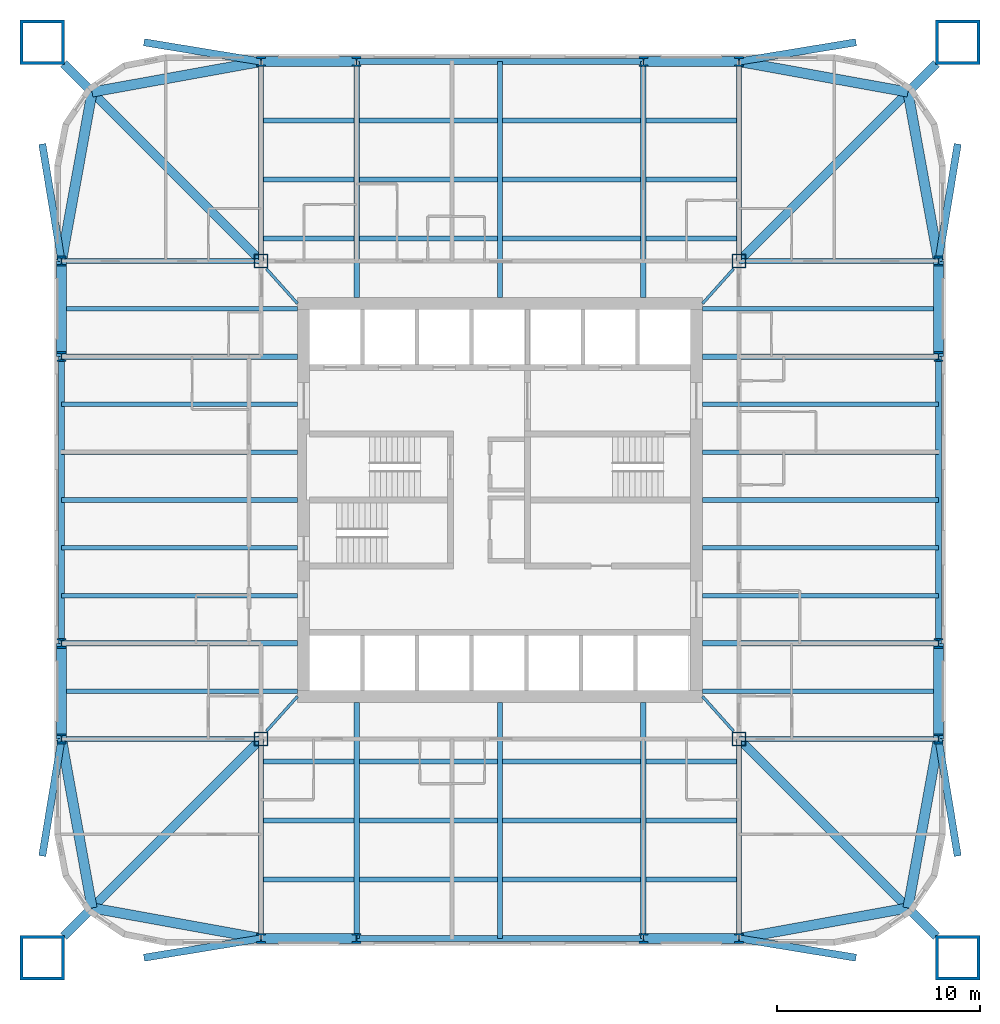
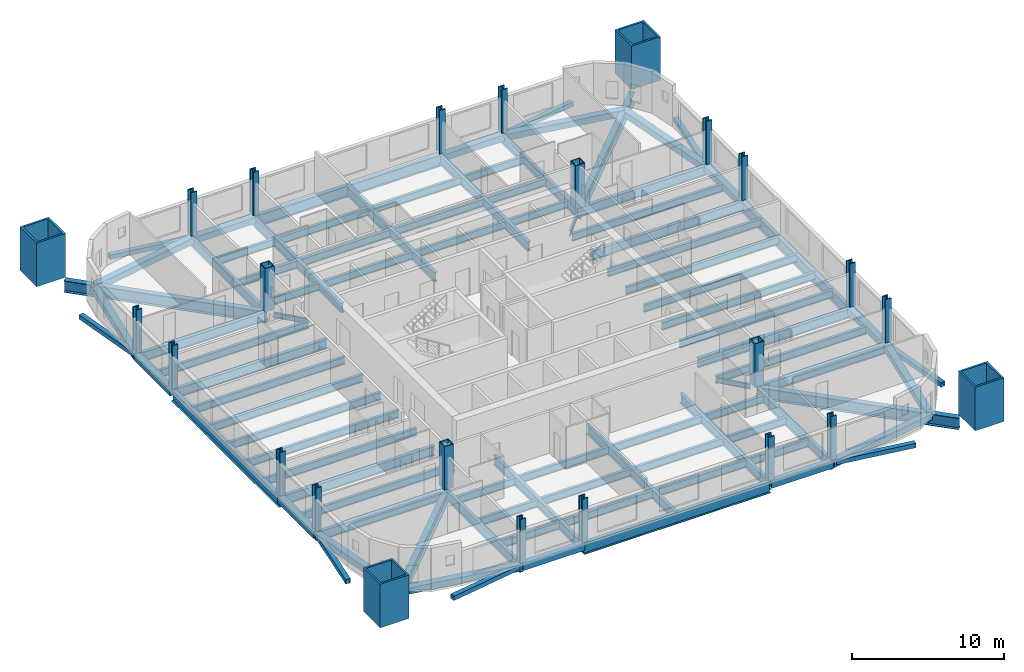
# One storey, part 1 of 9: 92 beams, 24 columns.
"""IFC4 building model written with IfcOpenShell, lengths in metres."""

from ifc_helpers import new_model, si_unit, direction, frame, origin, origin_2d, place, context, subcontext, project, spatial, hollow_rectangle, i_section, extrude, material, material_profile, profile_set, type_object, element, save


model = new_model("IFC4")

# Units and contexts
model_context = context("Model", 3, precision=1e-05, world=origin(), true_north=direction((0.0, 1.0)))
body_context = subcontext(model_context, "Body", "Model", "MODEL_VIEW")
ifc_project = project(units=[si_unit("LENGTHUNIT", "METRE"), si_unit("AREAUNIT", "SQUARE_METRE"), si_unit("VOLUMEUNIT", "CUBIC_METRE"), si_unit("PLANEANGLEUNIT", "RADIAN"), si_unit("MASSUNIT", "GRAM", prefix="KILO")], contexts=[model_context])

# Site, building, storey
site_placement = place(None, origin())
site = spatial("IfcSite", under=ifc_project, at=site_placement, CompositionType="ELEMENT")
building_placement = place(site_placement, origin())
building = spatial("IfcBuilding", under=site, at=building_placement, Name="Turquesa Mirador Hotel Tower", CompositionType="ELEMENT")
storey_placement = place(building_placement, frame((0.0, 0.0, 81.0)))
storey = spatial("IfcBuildingStorey", under=building, at=storey_placement, Name="L21", CompositionType="ELEMENT", Elevation=81.0)

# Columns
ifc_material_1 = material(Name="Steel ASTM A572 Grade 50", Category="steel")
ifc_material_profile_1 = material_profile(ifc_material_1, hollow_rectangle(XDim=0.699951171875, YDim=0.699951171875, WallThickness=0.06005859375, at=origin_2d()), Name="BOX700X700X60")
ifc_profile_set_1 = profile_set([ifc_material_profile_1], Name="Steel ASTM A572 Grade 50")
column_type_1 = type_object("IfcColumnType", Name="COLUMN BOX700X700X60", PredefinedType="COLUMN", material=ifc_profile_set_1)
for number, where, z_axis, x_axis, name in (
    (1, (43.199951171875, 33.199951171875, 0.0), (0.0, 0.0, 1.0), (1.0, 0.0, 0.0), "COL-L21-K--11.80--11.80"),
    (2, (43.199951171875, 56.800048828125, 0.0), (0.0, 0.0, 1.0), (1.0, 0.0, 0.0), "COL-L21-K--11.80-+11.80"),
    (3, (66.800048828125, 33.199951171875, 0.0), (0.0, 0.0, 1.0), (1.0, 0.0, 0.0), "COL-L21-K-+11.80--11.80"),
    (4, (66.800048828125, 56.800048828125, 0.0), (0.0, 0.0, 1.0), (1.0, 0.0, 0.0), "COL-L21-K-+11.80-+11.80"),
):
    element("IfcColumn", number, at=place(storey_placement, frame(where, z_axis=z_axis, x_axis=x_axis)), inside=storey, type_object=column_type_1, Name=name, PredefinedType="COLUMN", context=body_context, shape_type="SweptSolid", body=[
        extrude(hollow_rectangle(XDim=0.699951171875, YDim=0.699951171875, WallThickness=0.06005859375, at=origin_2d()), origin(), (0.0, 0.0, 1.0), 3.5),
    ])
ifc_material_2 = material(Name="Steel ASTM A992 Grade 50", Category="steel")
ifc_material_profile_2 = material_profile(ifc_material_2, i_section(OverallWidth=0.431884765625, OverallDepth=0.497802734375, WebThickness=0.0556640625, FlangeThickness=0.0888671875, at=origin_2d()), Name="W14X500")
ifc_profile_set_2 = profile_set([ifc_material_profile_2], Name="Steel ASTM A992 Grade 50")
column_type_2 = type_object("IfcColumnType", Name="COLUMN W14X500", PredefinedType="COLUMN", material=ifc_profile_set_2)
for number, where, z_axis, x_axis, name in (
    (5, (33.35009765625, 33.199951171875, 0.0), (0.0, 0.0, 1.0), (1.0, 0.0, 0.0), "COL-L21-P--21.65--11.80"),
    (6, (33.35009765625, 37.919921875, 0.0), (0.0, 0.0, 1.0), (1.0, 0.0, 0.0), "COL-L21-P--21.65--7.08"),
    (7, (33.35009765625, 52.080078125, 0.0), (0.0, 0.0, 1.0), (1.0, 0.0, 0.0), "COL-L21-P--21.65-+7.08"),
    (8, (33.35009765625, 56.800048828125, 0.0), (0.0, 0.0, 1.0), (1.0, 0.0, 0.0), "COL-L21-P--21.65-+11.80"),
    (9, (43.199951171875, 23.35009765625, 0.0), (0.0, 0.0, 1.0), (1.0, 0.0, 0.0), "COL-L21-P--11.80--21.65"),
    (10, (43.199951171875, 66.64990234375, 0.0), (0.0, 0.0, 1.0), (1.0, 0.0, 0.0), "COL-L21-P--11.80-+21.65"),
    (11, (47.919921875, 23.35009765625, 0.0), (0.0, 0.0, 1.0), (1.0, 0.0, 0.0), "COL-L21-P--7.08--21.65"),
    (12, (47.919921875, 66.64990234375, 0.0), (0.0, 0.0, 1.0), (1.0, 0.0, 0.0), "COL-L21-P--7.08-+21.65"),
    (13, (62.080078125, 23.35009765625, 0.0), (0.0, 0.0, 1.0), (1.0, 0.0, 0.0), "COL-L21-P-+7.08--21.65"),
    (14, (62.080078125, 66.64990234375, 0.0), (0.0, 0.0, 1.0), (1.0, 0.0, 0.0), "COL-L21-P-+7.08-+21.65"),
    (15, (66.800048828125, 23.35009765625, 0.0), (0.0, 0.0, 1.0), (1.0, 0.0, 0.0), "COL-L21-P-+11.80--21.65"),
    (16, (66.800048828125, 66.64990234375, 0.0), (0.0, 0.0, 1.0), (1.0, 0.0, 0.0), "COL-L21-P-+11.80-+21.65"),
    (17, (76.64990234375, 33.199951171875, 0.0), (0.0, 0.0, 1.0), (1.0, 0.0, 0.0), "COL-L21-P-+21.65--11.80"),
    (18, (76.64990234375, 37.919921875, 0.0), (0.0, 0.0, 1.0), (1.0, 0.0, 0.0), "COL-L21-P-+21.65--7.08"),
    (19, (76.64990234375, 52.080078125, 0.0), (0.0, 0.0, 1.0), (1.0, 0.0, 0.0), "COL-L21-P-+21.65-+7.08"),
    (20, (76.64990234375, 56.800048828125, 0.0), (0.0, 0.0, 1.0), (1.0, 0.0, 0.0), "COL-L21-P-+21.65-+11.80"),
):
    element("IfcColumn", number, at=place(storey_placement, frame(where, z_axis=z_axis, x_axis=x_axis)), inside=storey, type_object=column_type_2, Name=name, PredefinedType="COLUMN", context=body_context, shape_type="SweptSolid", body=[
        extrude(i_section(OverallWidth=0.431884765625, OverallDepth=0.497802734375, WebThickness=0.0556640625, FlangeThickness=0.0888671875, at=origin_2d()), origin(), (0.0, 0.0, 1.0), 3.5),
    ])
ifc_material_3 = material(Name="Steel ASTM A514 Grade Q", Category="steel")
ifc_material_profile_3 = material_profile(ifc_material_3, hollow_rectangle(XDim=2.199951171875, YDim=2.199951171875, WallThickness=0.14990234375, at=origin_2d()), Name="BOX2200X2200X150")
ifc_profile_set_3 = profile_set([ifc_material_profile_3], Name="Steel ASTM A514 Grade Q")
column_type_3 = type_object("IfcColumnType", Name="MEGA COLUMN BOX2200X2200X150", PredefinedType="COLUMN", material=ifc_profile_set_3)
for number, where, z_axis, x_axis, name in (
    (21, (77.60009765625, 67.60009765625, 0.0), (0.0, 0.0, 1.0), (1.0, 0.0, 0.0), "Mega column M1"),
    (22, (32.39990234375, 67.60009765625, 0.0), (0.0, 0.0, 1.0), (1.0, 0.0, 0.0), "Mega column M2"),
    (23, (32.39990234375, 22.39990234375, 0.0), (0.0, 0.0, 1.0), (1.0, 0.0, 0.0), "Mega column M3"),
    (24, (77.60009765625, 22.39990234375, 0.0), (0.0, 0.0, 1.0), (1.0, 0.0, 0.0), "Mega column M4"),
):
    element("IfcColumn", number, at=place(storey_placement, frame(where, z_axis=z_axis, x_axis=x_axis)), inside=storey, type_object=column_type_3, Name=name, PredefinedType="COLUMN", context=body_context, shape_type="SweptSolid", body=[
        extrude(hollow_rectangle(XDim=2.199951171875, YDim=2.199951171875, WallThickness=0.14990234375, at=origin_2d()), origin(), (0.0, 0.0, 1.0), 3.5),
    ])

# Beams
ifc_material_4 = material(Name="Steel ASTM A572 Grade 50", Category="steel")
ifc_material_profile_4 = material_profile(ifc_material_4, hollow_rectangle(XDim=0.5, YDim=0.5, WallThickness=0.01611328125, at=origin_2d()), Name="BOX500X500X16")
ifc_profile_set_4 = profile_set([ifc_material_profile_4], Name="Steel ASTM A572 Grade 50")
beam_type_1 = type_object("IfcBeamType", Name="BEAM BOX500X500X16", PredefinedType="BEAM", material=ifc_profile_set_4)
for number, where, z_axis, x_axis, name in (
    (25, (43.199951171875, 66.64990234375, -0.419921875), (1.0, 0.0, 0.0), (0.0, 1.0, 0.0), "EB-L21-N-L"),
    (26, (62.080078125, 66.64990234375, -0.419921875), (1.0, 0.0, 0.0), (0.0, 1.0, 0.0), "EB-L21-N-R"),
    (27, (43.199951171875, 23.35009765625, -0.419921875), (1.0, 0.0, 0.0), (0.0, 1.0, 0.0), "EB-L21-S-L"),
    (28, (62.080078125, 23.35009765625, -0.419921875), (1.0, 0.0, 0.0), (0.0, 1.0, 0.0), "EB-L21-S-R"),
    (29, (76.64990234375, 33.199951171875, -0.419921875), (0.0, 1.0, 0.0), (-1.0, 0.0, 0.0), "EB-L21-E-L"),
    (30, (76.64990234375, 52.080078125, -0.419921875), (0.0, 1.0, 0.0), (-1.0, 0.0, 0.0), "EB-L21-E-R"),
    (31, (33.35009765625, 33.199951171875, -0.419921875), (0.0, 1.0, 0.0), (-1.0, 0.0, 0.0), "EB-L21-W-L"),
    (32, (33.35009765625, 52.080078125, -0.419921875), (0.0, 1.0, 0.0), (-1.0, 0.0, 0.0), "EB-L21-W-R"),
):
    element("IfcBeam", number, at=place(storey_placement, frame(where, z_axis=z_axis, x_axis=x_axis)), inside=storey, type_object=beam_type_1, Name=name, PredefinedType="BEAM", context=body_context, shape_type="SweptSolid", body=[
        extrude(hollow_rectangle(XDim=0.5, YDim=0.5, WallThickness=0.01611328125, at=origin_2d()), origin(), (0.0, 0.0, 1.0), 4.719970703125),
    ])
for number, where, z_axis, x_axis, name in (
    (33, (76.64990234375, 56.800048828125, -0.419921875), (-0.177932387818, 0.984042715214, 0.0), (-0.984042715214, -0.177932387818, 0.0), "KE-L21-1-0"),
    (34, (75.1416015625, 65.1416015625, -0.419921875), (-0.984042715214, 0.177932387818, 0.0), (-0.177932387818, -0.984042715214, 0.0), "KE-L21-1-1"),
    (35, (33.35009765625, 56.800048828125, -0.419921875), (0.177932387818, 0.984042715214, 0.0), (-0.984042715214, 0.177932387818, 0.0), "KE-L21-2-0"),
    (36, (34.8583984375, 65.1416015625, -0.419921875), (0.984042715214, 0.177932387818, 0.0), (-0.177932387818, 0.984042715214, 0.0), "KE-L21-2-1"),
    (37, (33.35009765625, 33.199951171875, -0.419921875), (0.177932387818, -0.984042715214, 0.0), (0.984042715214, 0.177932387818, 0.0), "KE-L21-3-0"),
    (38, (34.8583984375, 24.8583984375, -0.419921875), (0.984042715214, -0.177932387818, 0.0), (0.177932387818, 0.984042715214, 0.0), "KE-L21-3-1"),
    (39, (76.64990234375, 33.199951171875, -0.419921875), (-0.177932387818, -0.984042715214, 0.0), (0.984042715214, -0.177932387818, 0.0), "KE-L21-4-0"),
    (40, (75.1416015625, 24.8583984375, -0.419921875), (-0.984042715214, -0.177932387818, 0.0), (0.177932387818, -0.984042715214, 0.0), "KE-L21-4-1"),
):
    element("IfcBeam", number, at=place(storey_placement, frame(where, z_axis=z_axis, x_axis=x_axis)), inside=storey, type_object=beam_type_1, Name=name, PredefinedType="BEAM", context=body_context, shape_type="SweptSolid", body=[
        extrude(hollow_rectangle(XDim=0.5, YDim=0.5, WallThickness=0.01611328125, at=origin_2d()), origin(), (0.0, 0.0, 1.0), 8.476806640625),
    ])
ifc_material_5 = material(Name="Steel ASTM A992 Grade 50", Category="steel")
ifc_material_profile_5 = material_profile(ifc_material_5, i_section(OverallWidth=0.140380859375, OverallDepth=0.40380859375, WebThickness=0.007080078125, FlangeThickness=0.01123046875, at=origin_2d()), Name="W16X31")
ifc_profile_set_5 = profile_set([ifc_material_profile_5], Name="Steel ASTM A992 Grade 50")
beam_type_2 = type_object("IfcBeamType", Name="BEAM W16X31", PredefinedType="BEAM", material=ifc_profile_set_5)
for number, where, z_axis, x_axis, name in (
    (41, (66.529541015625, 56.40966796875, -0.371826171875), (-0.666745084392, -0.745285846129, 0.0), (0.745285846129, -0.666745084392, 0.0), "KT-L21-1"),
    (42, (43.470458984375, 56.40966796875, -0.371826171875), (0.666745084392, -0.745285846129, 0.0), (0.745285846129, 0.666745084392, 0.0), "KT-L21-2"),
    (43, (43.470458984375, 33.59033203125, -0.371826171875), (0.666745084392, 0.745285846129, 0.0), (-0.745285846129, 0.666745084392, 0.0), "KT-L21-3"),
    (44, (66.529541015625, 33.59033203125, -0.371826171875), (-0.666745084392, 0.745285846129, 0.0), (-0.745285846129, -0.666745084392, 0.0), "KT-L21-4"),
):
    element("IfcBeam", number, at=place(storey_placement, frame(where, z_axis=z_axis, x_axis=x_axis)), inside=storey, type_object=beam_type_2, Name=name, PredefinedType="BEAM", context=body_context, shape_type="SweptSolid", body=[
        extrude(i_section(OverallWidth=0.140380859375, OverallDepth=0.40380859375, WebThickness=0.007080078125, FlangeThickness=0.01123046875, at=origin_2d()), origin(), (0.0, 0.0, 1.0), 2.2939453125),
    ])
ifc_material_6 = material(Name="Steel ASTM A992 Grade 50", Category="steel")
ifc_material_profile_6 = material_profile(ifc_material_6, i_section(OverallWidth=0.228271484375, OverallDepth=0.607177734375, WebThickness=0.01123046875, FlangeThickness=0.017333984375, at=origin_2d()), Name="W24X76")
ifc_profile_set_6 = profile_set([ifc_material_profile_6], Name="Steel ASTM A992 Grade 50")
beam_type_3 = type_object("IfcBeamType", Name="BEAM W24X76", PredefinedType="BEAM", material=ifc_profile_set_6)
beam_1_placement = place(storey_placement, frame((43.333251953125, 57.912109375, -0.4736328125), z_axis=(1.0, 0.0, 0.0), x_axis=(0.0, 1.0, 0.0)))
element("IfcBeam", 45, at=beam_1_placement, inside=storey, type_object=beam_type_3, Name="IB-L21-N-1-0", PredefinedType="BEAM", context=body_context, shape_type="SweptSolid", body=[
    extrude(i_section(OverallWidth=0.228271484375, OverallDepth=0.607177734375, WebThickness=0.01123046875, FlangeThickness=0.017333984375, at=origin_2d()), origin(), (0.0, 0.0, 1.0), 4.453369140625),
])
for number, where, z_axis, x_axis, name in (
    (46, (48.053466796875, 57.912109375, -0.4736328125), (1.0, 0.0, 0.0), (0.0, 1.0, 0.0), "IB-L21-N-1-1"),
    (47, (55.13330078125, 57.912109375, -0.4736328125), (1.0, 0.0, 0.0), (0.0, 1.0, 0.0), "IB-L21-N-1-2"),
):
    element("IfcBeam", number, at=place(storey_placement, frame(where, z_axis=z_axis, x_axis=x_axis)), inside=storey, type_object=beam_type_3, Name=name, PredefinedType="BEAM", context=body_context, shape_type="SweptSolid", body=[
        extrude(i_section(OverallWidth=0.228271484375, OverallDepth=0.607177734375, WebThickness=0.01123046875, FlangeThickness=0.017333984375, at=origin_2d()), origin(), (0.0, 0.0, 1.0), 6.813232421875),
    ])
for number, where, z_axis, x_axis, name in (
    (48, (62.21337890625, 57.912109375, -0.4736328125), (1.0, 0.0, 0.0), (0.0, 1.0, 0.0), "IB-L21-N-1-3"),
    (49, (43.333251953125, 60.824951171875, -0.4736328125), (1.0, 0.0, 0.0), (0.0, 1.0, 0.0), "IB-L21-N-2-0"),
):
    element("IfcBeam", number, at=place(storey_placement, frame(where, z_axis=z_axis, x_axis=x_axis)), inside=storey, type_object=beam_type_3, Name=name, PredefinedType="BEAM", context=body_context, shape_type="SweptSolid", body=[
        extrude(i_section(OverallWidth=0.228271484375, OverallDepth=0.607177734375, WebThickness=0.01123046875, FlangeThickness=0.017333984375, at=origin_2d()), origin(), (0.0, 0.0, 1.0), 4.453369140625),
    ])
for number, where, z_axis, x_axis, name in (
    (50, (48.053466796875, 60.824951171875, -0.4736328125), (1.0, 0.0, 0.0), (0.0, 1.0, 0.0), "IB-L21-N-2-1"),
    (51, (55.13330078125, 60.824951171875, -0.4736328125), (1.0, 0.0, 0.0), (0.0, 1.0, 0.0), "IB-L21-N-2-2"),
):
    element("IfcBeam", number, at=place(storey_placement, frame(where, z_axis=z_axis, x_axis=x_axis)), inside=storey, type_object=beam_type_3, Name=name, PredefinedType="BEAM", context=body_context, shape_type="SweptSolid", body=[
        extrude(i_section(OverallWidth=0.228271484375, OverallDepth=0.607177734375, WebThickness=0.01123046875, FlangeThickness=0.017333984375, at=origin_2d()), origin(), (0.0, 0.0, 1.0), 6.813232421875),
    ])
for number, where, z_axis, x_axis, name in (
    (52, (62.21337890625, 60.824951171875, -0.4736328125), (1.0, 0.0, 0.0), (0.0, 1.0, 0.0), "IB-L21-N-2-3"),
    (53, (43.333251953125, 63.737060546875, -0.4736328125), (1.0, 0.0, 0.0), (0.0, 1.0, 0.0), "IB-L21-N-3-0"),
):
    element("IfcBeam", number, at=place(storey_placement, frame(where, z_axis=z_axis, x_axis=x_axis)), inside=storey, type_object=beam_type_3, Name=name, PredefinedType="BEAM", context=body_context, shape_type="SweptSolid", body=[
        extrude(i_section(OverallWidth=0.228271484375, OverallDepth=0.607177734375, WebThickness=0.01123046875, FlangeThickness=0.017333984375, at=origin_2d()), origin(), (0.0, 0.0, 1.0), 4.453369140625),
    ])
for number, where, z_axis, x_axis, name in (
    (54, (48.053466796875, 63.737060546875, -0.4736328125), (1.0, 0.0, 0.0), (0.0, 1.0, 0.0), "IB-L21-N-3-1"),
    (55, (55.13330078125, 63.737060546875, -0.4736328125), (1.0, 0.0, 0.0), (0.0, 1.0, 0.0), "IB-L21-N-3-2"),
):
    element("IfcBeam", number, at=place(storey_placement, frame(where, z_axis=z_axis, x_axis=x_axis)), inside=storey, type_object=beam_type_3, Name=name, PredefinedType="BEAM", context=body_context, shape_type="SweptSolid", body=[
        extrude(i_section(OverallWidth=0.228271484375, OverallDepth=0.607177734375, WebThickness=0.01123046875, FlangeThickness=0.017333984375, at=origin_2d()), origin(), (0.0, 0.0, 1.0), 6.813232421875),
    ])
for number, where, z_axis, x_axis, name in (
    (56, (62.21337890625, 63.737060546875, -0.4736328125), (1.0, 0.0, 0.0), (0.0, 1.0, 0.0), "IB-L21-N-3-3"),
    (57, (43.333251953125, 32.087890625, -0.4736328125), (1.0, 0.0, 0.0), (0.0, 1.0, 0.0), "IB-L21-S-1-0"),
):
    element("IfcBeam", number, at=place(storey_placement, frame(where, z_axis=z_axis, x_axis=x_axis)), inside=storey, type_object=beam_type_3, Name=name, PredefinedType="BEAM", context=body_context, shape_type="SweptSolid", body=[
        extrude(i_section(OverallWidth=0.228271484375, OverallDepth=0.607177734375, WebThickness=0.01123046875, FlangeThickness=0.017333984375, at=origin_2d()), origin(), (0.0, 0.0, 1.0), 4.453369140625),
    ])
for number, where, z_axis, x_axis, name in (
    (58, (48.053466796875, 32.087890625, -0.4736328125), (1.0, 0.0, 0.0), (0.0, 1.0, 0.0), "IB-L21-S-1-1"),
    (59, (55.13330078125, 32.087890625, -0.4736328125), (1.0, 0.0, 0.0), (0.0, 1.0, 0.0), "IB-L21-S-1-2"),
):
    element("IfcBeam", number, at=place(storey_placement, frame(where, z_axis=z_axis, x_axis=x_axis)), inside=storey, type_object=beam_type_3, Name=name, PredefinedType="BEAM", context=body_context, shape_type="SweptSolid", body=[
        extrude(i_section(OverallWidth=0.228271484375, OverallDepth=0.607177734375, WebThickness=0.01123046875, FlangeThickness=0.017333984375, at=origin_2d()), origin(), (0.0, 0.0, 1.0), 6.813232421875),
    ])
for number, where, z_axis, x_axis, name in (
    (60, (62.21337890625, 32.087890625, -0.4736328125), (1.0, 0.0, 0.0), (0.0, 1.0, 0.0), "IB-L21-S-1-3"),
    (61, (43.333251953125, 29.175048828125, -0.4736328125), (1.0, 0.0, 0.0), (0.0, 1.0, 0.0), "IB-L21-S-2-0"),
):
    element("IfcBeam", number, at=place(storey_placement, frame(where, z_axis=z_axis, x_axis=x_axis)), inside=storey, type_object=beam_type_3, Name=name, PredefinedType="BEAM", context=body_context, shape_type="SweptSolid", body=[
        extrude(i_section(OverallWidth=0.228271484375, OverallDepth=0.607177734375, WebThickness=0.01123046875, FlangeThickness=0.017333984375, at=origin_2d()), origin(), (0.0, 0.0, 1.0), 4.453369140625),
    ])
for number, where, z_axis, x_axis, name in (
    (62, (48.053466796875, 29.175048828125, -0.4736328125), (1.0, 0.0, 0.0), (0.0, 1.0, 0.0), "IB-L21-S-2-1"),
    (63, (55.13330078125, 29.175048828125, -0.4736328125), (1.0, 0.0, 0.0), (0.0, 1.0, 0.0), "IB-L21-S-2-2"),
):
    element("IfcBeam", number, at=place(storey_placement, frame(where, z_axis=z_axis, x_axis=x_axis)), inside=storey, type_object=beam_type_3, Name=name, PredefinedType="BEAM", context=body_context, shape_type="SweptSolid", body=[
        extrude(i_section(OverallWidth=0.228271484375, OverallDepth=0.607177734375, WebThickness=0.01123046875, FlangeThickness=0.017333984375, at=origin_2d()), origin(), (0.0, 0.0, 1.0), 6.813232421875),
    ])
for number, where, z_axis, x_axis, name in (
    (64, (62.21337890625, 29.175048828125, -0.4736328125), (1.0, 0.0, 0.0), (0.0, 1.0, 0.0), "IB-L21-S-2-3"),
    (65, (43.333251953125, 26.262939453125, -0.4736328125), (1.0, 0.0, 0.0), (0.0, 1.0, 0.0), "IB-L21-S-3-0"),
):
    element("IfcBeam", number, at=place(storey_placement, frame(where, z_axis=z_axis, x_axis=x_axis)), inside=storey, type_object=beam_type_3, Name=name, PredefinedType="BEAM", context=body_context, shape_type="SweptSolid", body=[
        extrude(i_section(OverallWidth=0.228271484375, OverallDepth=0.607177734375, WebThickness=0.01123046875, FlangeThickness=0.017333984375, at=origin_2d()), origin(), (0.0, 0.0, 1.0), 4.453369140625),
    ])
for number, where, z_axis, x_axis, name in (
    (66, (48.053466796875, 26.262939453125, -0.4736328125), (1.0, 0.0, 0.0), (0.0, 1.0, 0.0), "IB-L21-S-3-1"),
    (67, (55.13330078125, 26.262939453125, -0.4736328125), (1.0, 0.0, 0.0), (0.0, 1.0, 0.0), "IB-L21-S-3-2"),
):
    element("IfcBeam", number, at=place(storey_placement, frame(where, z_axis=z_axis, x_axis=x_axis)), inside=storey, type_object=beam_type_3, Name=name, PredefinedType="BEAM", context=body_context, shape_type="SweptSolid", body=[
        extrude(i_section(OverallWidth=0.228271484375, OverallDepth=0.607177734375, WebThickness=0.01123046875, FlangeThickness=0.017333984375, at=origin_2d()), origin(), (0.0, 0.0, 1.0), 6.813232421875),
    ])
beam_2_placement = place(storey_placement, frame((62.21337890625, 26.262939453125, -0.4736328125), z_axis=(1.0, 0.0, 0.0), x_axis=(0.0, 1.0, 0.0)))
element("IfcBeam", 68, at=beam_2_placement, inside=storey, type_object=beam_type_3, Name="IB-L21-S-3-3", PredefinedType="BEAM", context=body_context, shape_type="SweptSolid", body=[
    extrude(i_section(OverallWidth=0.228271484375, OverallDepth=0.607177734375, WebThickness=0.01123046875, FlangeThickness=0.017333984375, at=origin_2d()), origin(), (0.0, 0.0, 1.0), 4.453369140625),
])
for number, where, z_axis, x_axis, name in (
    (69, (76.64990234375, 35.56005859375, -0.4736328125), (-1.0, 0.0, 0.0), (0.0, -1.0, 0.0), "BM-L21-E--9.44"),
    (70, (76.64990234375, 40.280029296875, -0.4736328125), (-1.0, 0.0, 0.0), (0.0, -1.0, 0.0), "BM-L21-E--4.72"),
    (71, (76.64990234375, 42.639892578125, -0.4736328125), (-1.0, 0.0, 0.0), (0.0, -1.0, 0.0), "BM-L21-E--2.36"),
    (72, (76.64990234375, 45.0, -0.4736328125), (-1.0, 0.0, 0.0), (0.0, -1.0, 0.0), "BM-L21-E-+0.00"),
    (73, (76.64990234375, 47.360107421875, -0.4736328125), (-1.0, 0.0, 0.0), (0.0, -1.0, 0.0), "BM-L21-E-+2.36"),
    (74, (76.64990234375, 49.719970703125, -0.4736328125), (-1.0, 0.0, 0.0), (0.0, -1.0, 0.0), "BM-L21-E-+4.72"),
    (75, (76.64990234375, 54.43994140625, -0.4736328125), (-1.0, 0.0, 0.0), (0.0, -1.0, 0.0), "BM-L21-E-+9.44"),
    (76, (33.35009765625, 35.56005859375, -0.4736328125), (1.0, 0.0, 0.0), (0.0, 1.0, 0.0), "BM-L21-W--9.44"),
    (77, (33.35009765625, 40.280029296875, -0.4736328125), (1.0, 0.0, 0.0), (0.0, 1.0, 0.0), "BM-L21-W--4.72"),
    (78, (33.35009765625, 42.639892578125, -0.4736328125), (1.0, 0.0, 0.0), (0.0, 1.0, 0.0), "BM-L21-W--2.36"),
    (79, (33.35009765625, 45.0, -0.4736328125), (1.0, 0.0, 0.0), (0.0, 1.0, 0.0), "BM-L21-W-+0.00"),
    (80, (33.35009765625, 47.360107421875, -0.4736328125), (1.0, 0.0, 0.0), (0.0, 1.0, 0.0), "BM-L21-W-+2.36"),
    (81, (33.35009765625, 49.719970703125, -0.4736328125), (1.0, 0.0, 0.0), (0.0, 1.0, 0.0), "BM-L21-W-+4.72"),
    (82, (33.35009765625, 54.43994140625, -0.4736328125), (1.0, 0.0, 0.0), (0.0, 1.0, 0.0), "BM-L21-W-+9.44"),
):
    element("IfcBeam", number, at=place(storey_placement, frame(where, z_axis=z_axis, x_axis=x_axis)), inside=storey, type_object=beam_type_3, Name=name, PredefinedType="BEAM", context=body_context, shape_type="SweptSolid", body=[
        extrude(i_section(OverallWidth=0.228271484375, OverallDepth=0.607177734375, WebThickness=0.01123046875, FlangeThickness=0.017333984375, at=origin_2d()), origin(), (0.0, 0.0, 1.0), 11.64990234375),
    ])
ifc_material_7 = material(Name="Steel ASTM A992 Grade 50", Category="steel")
ifc_material_profile_7 = material_profile(ifc_material_7, i_section(OverallWidth=0.2666015625, OverallDepth=0.7568359375, WebThickness=0.013916015625, FlangeThickness=0.019287109375, at=origin_2d()), Name="W30X108")
ifc_profile_set_7 = profile_set([ifc_material_profile_7], Name="Steel ASTM A992 Grade 50")
beam_type_4 = type_object("IfcBeamType", Name="BEAM W30X108", PredefinedType="BEAM", material=ifc_profile_set_7)
for number, where, z_axis, x_axis, name in (
    (83, (47.919921875, 66.64990234375, -0.54833984375), (0.0, -1.0, 0.0), (1.0, 0.0, 0.0), "GD-L21-N--7.08"),
    (84, (62.080078125, 66.64990234375, -0.54833984375), (0.0, -1.0, 0.0), (1.0, 0.0, 0.0), "GD-L21-N-+7.08"),
    (85, (55.0, 66.64990234375, -0.54833984375), (0.0, -1.0, 0.0), (1.0, 0.0, 0.0), "GD-L21-N-+0.00"),
):
    element("IfcBeam", number, at=place(storey_placement, frame(where, z_axis=z_axis, x_axis=x_axis)), inside=storey, type_object=beam_type_4, Name=name, PredefinedType="BEAM", context=body_context, shape_type="SweptSolid", body=[
        extrude(i_section(OverallWidth=0.2666015625, OverallDepth=0.7568359375, WebThickness=0.013916015625, FlangeThickness=0.019287109375, at=origin_2d()), origin(), (0.0, 0.0, 1.0), 11.64990234375),
    ])
for number, where, z_axis, x_axis, name in (
    (86, (43.199951171875, 66.64990234375, -0.54833984375), (0.0, -1.0, 0.0), (1.0, 0.0, 0.0), "GK-L21-N--11.80"),
    (87, (66.800048828125, 66.64990234375, -0.54833984375), (0.0, -1.0, 0.0), (1.0, 0.0, 0.0), "GK-L21-N-+11.80"),
):
    element("IfcBeam", number, at=place(storey_placement, frame(where, z_axis=z_axis, x_axis=x_axis)), inside=storey, type_object=beam_type_4, Name=name, PredefinedType="BEAM", context=body_context, shape_type="SweptSolid", body=[
        extrude(i_section(OverallWidth=0.2666015625, OverallDepth=0.7568359375, WebThickness=0.013916015625, FlangeThickness=0.019287109375, at=origin_2d()), origin(), (0.0, 0.0, 1.0), 9.849853515625),
    ])
for number, where, z_axis, x_axis, name in (
    (88, (47.919921875, 23.35009765625, -0.54833984375), (0.0, 1.0, 0.0), (-1.0, 0.0, 0.0), "GD-L21-S--7.08"),
    (89, (62.080078125, 23.35009765625, -0.54833984375), (0.0, 1.0, 0.0), (-1.0, 0.0, 0.0), "GD-L21-S-+7.08"),
    (90, (55.0, 23.35009765625, -0.54833984375), (0.0, 1.0, 0.0), (-1.0, 0.0, 0.0), "GD-L21-S-+0.00"),
):
    element("IfcBeam", number, at=place(storey_placement, frame(where, z_axis=z_axis, x_axis=x_axis)), inside=storey, type_object=beam_type_4, Name=name, PredefinedType="BEAM", context=body_context, shape_type="SweptSolid", body=[
        extrude(i_section(OverallWidth=0.2666015625, OverallDepth=0.7568359375, WebThickness=0.013916015625, FlangeThickness=0.019287109375, at=origin_2d()), origin(), (0.0, 0.0, 1.0), 11.64990234375),
    ])
for number, where, z_axis, x_axis, name in (
    (91, (43.199951171875, 23.35009765625, -0.54833984375), (0.0, 1.0, 0.0), (-1.0, 0.0, 0.0), "GK-L21-S--11.80"),
    (92, (66.800048828125, 23.35009765625, -0.54833984375), (0.0, 1.0, 0.0), (-1.0, 0.0, 0.0), "GK-L21-S-+11.80"),
):
    element("IfcBeam", number, at=place(storey_placement, frame(where, z_axis=z_axis, x_axis=x_axis)), inside=storey, type_object=beam_type_4, Name=name, PredefinedType="BEAM", context=body_context, shape_type="SweptSolid", body=[
        extrude(i_section(OverallWidth=0.2666015625, OverallDepth=0.7568359375, WebThickness=0.013916015625, FlangeThickness=0.019287109375, at=origin_2d()), origin(), (0.0, 0.0, 1.0), 9.849853515625),
    ])
for number, where, z_axis, x_axis, name in (
    (93, (76.64990234375, 37.919921875, -0.54833984375), (-1.0, 0.0, 0.0), (0.0, -1.0, 0.0), "GD-L21-E--7.08"),
    (94, (76.64990234375, 52.080078125, -0.54833984375), (-1.0, 0.0, 0.0), (0.0, -1.0, 0.0), "GD-L21-E-+7.08"),
):
    element("IfcBeam", number, at=place(storey_placement, frame(where, z_axis=z_axis, x_axis=x_axis)), inside=storey, type_object=beam_type_4, Name=name, PredefinedType="BEAM", context=body_context, shape_type="SweptSolid", body=[
        extrude(i_section(OverallWidth=0.2666015625, OverallDepth=0.7568359375, WebThickness=0.013916015625, FlangeThickness=0.019287109375, at=origin_2d()), origin(), (0.0, 0.0, 1.0), 11.64990234375),
    ])
for number, where, z_axis, x_axis, name in (
    (95, (76.64990234375, 33.199951171875, -0.54833984375), (-1.0, 0.0, 0.0), (0.0, -1.0, 0.0), "GK-L21-E--11.80"),
    (96, (76.64990234375, 56.800048828125, -0.54833984375), (-1.0, 0.0, 0.0), (0.0, -1.0, 0.0), "GK-L21-E-+11.80"),
):
    element("IfcBeam", number, at=place(storey_placement, frame(where, z_axis=z_axis, x_axis=x_axis)), inside=storey, type_object=beam_type_4, Name=name, PredefinedType="BEAM", context=body_context, shape_type="SweptSolid", body=[
        extrude(i_section(OverallWidth=0.2666015625, OverallDepth=0.7568359375, WebThickness=0.013916015625, FlangeThickness=0.019287109375, at=origin_2d()), origin(), (0.0, 0.0, 1.0), 9.849853515625),
    ])
for number, where, z_axis, x_axis, name in (
    (97, (33.35009765625, 37.919921875, -0.54833984375), (1.0, 0.0, 0.0), (0.0, 1.0, 0.0), "GD-L21-W--7.08"),
    (98, (33.35009765625, 52.080078125, -0.54833984375), (1.0, 0.0, 0.0), (0.0, 1.0, 0.0), "GD-L21-W-+7.08"),
):
    element("IfcBeam", number, at=place(storey_placement, frame(where, z_axis=z_axis, x_axis=x_axis)), inside=storey, type_object=beam_type_4, Name=name, PredefinedType="BEAM", context=body_context, shape_type="SweptSolid", body=[
        extrude(i_section(OverallWidth=0.2666015625, OverallDepth=0.7568359375, WebThickness=0.013916015625, FlangeThickness=0.019287109375, at=origin_2d()), origin(), (0.0, 0.0, 1.0), 11.64990234375),
    ])
for number, where, z_axis, x_axis, name in (
    (99, (33.35009765625, 33.199951171875, -0.54833984375), (1.0, 0.0, 0.0), (0.0, 1.0, 0.0), "GK-L21-W--11.80"),
    (100, (33.35009765625, 56.800048828125, -0.54833984375), (1.0, 0.0, 0.0), (0.0, 1.0, 0.0), "GK-L21-W-+11.80"),
):
    element("IfcBeam", number, at=place(storey_placement, frame(where, z_axis=z_axis, x_axis=x_axis)), inside=storey, type_object=beam_type_4, Name=name, PredefinedType="BEAM", context=body_context, shape_type="SweptSolid", body=[
        extrude(i_section(OverallWidth=0.2666015625, OverallDepth=0.7568359375, WebThickness=0.013916015625, FlangeThickness=0.019287109375, at=origin_2d()), origin(), (0.0, 0.0, 1.0), 9.849853515625),
    ])
ifc_material_8 = material(Name="Steel ASTM A992 Grade 50", Category="steel")
ifc_material_profile_8 = material_profile(ifc_material_8, i_section(OverallWidth=0.3046875, OverallDepth=0.911865234375, WebThickness=0.015869140625, FlangeThickness=0.02392578125, at=origin_2d()), Name="W36X150")
ifc_profile_set_8 = profile_set([ifc_material_profile_8], Name="Steel ASTM A992 Grade 50")
beam_type_5 = type_object("IfcBeamType", Name="BEAM W36X150", PredefinedType="BEAM", material=ifc_profile_set_8)
for number, where, z_axis, x_axis, name in (
    (101, (47.919921875, 66.64990234375, -0.6259765625), (1.0, 0.0, 0.0), (0.0, 1.0, 0.0), "EB-L21-N-C"),
    (102, (47.919921875, 23.35009765625, -0.6259765625), (1.0, 0.0, 0.0), (0.0, 1.0, 0.0), "EB-L21-S-C"),
    (103, (76.64990234375, 37.919921875, -0.6259765625), (0.0, 1.0, 0.0), (-1.0, 0.0, 0.0), "EB-L21-E-C"),
    (104, (33.35009765625, 37.919921875, -0.6259765625), (0.0, 1.0, 0.0), (-1.0, 0.0, 0.0), "EB-L21-W-C"),
):
    element("IfcBeam", number, at=place(storey_placement, frame(where, z_axis=z_axis, x_axis=x_axis)), inside=storey, type_object=beam_type_5, Name=name, PredefinedType="BEAM", context=body_context, shape_type="SweptSolid", body=[
        extrude(i_section(OverallWidth=0.3046875, OverallDepth=0.911865234375, WebThickness=0.015869140625, FlangeThickness=0.02392578125, at=origin_2d()), origin(), (0.0, 0.0, 1.0), 14.16015625),
    ])
ifc_material_9 = material(Name="Steel ASTM A992 Grade 50", Category="steel")
ifc_material_profile_9 = material_profile(ifc_material_9, i_section(OverallWidth=0.419189453125, OverallDepth=0.927001953125, WebThickness=0.019287109375, FlangeThickness=0.031982421875, at=origin_2d()), Name="W36X231")
ifc_profile_set_9 = profile_set([ifc_material_profile_9], Name="Steel ASTM A992 Grade 50")
beam_type_6 = type_object("IfcBeamType", Name="BEAM W36X231", PredefinedType="BEAM", material=ifc_profile_set_9)
for number, where, z_axis, x_axis, name in (
    (105, (66.800048828125, 56.800048828125, -0.633544921875), (0.707106781187, 0.707106781187, 0.0), (-0.707106781187, 0.707106781187, 0.0), "KD-L21-1"),
    (106, (43.199951171875, 56.800048828125, -0.633544921875), (-0.707106781187, 0.707106781187, 0.0), (-0.707106781187, -0.707106781187, 0.0), "KD-L21-2"),
    (107, (43.199951171875, 33.199951171875, -0.633544921875), (-0.707106781187, -0.707106781187, 0.0), (0.707106781187, -0.707106781187, 0.0), "KD-L21-3"),
    (108, (66.800048828125, 33.199951171875, -0.633544921875), (0.707106781187, -0.707106781187, 0.0), (0.707106781187, 0.707106781187, 0.0), "KD-L21-4"),
):
    element("IfcBeam", number, at=place(storey_placement, frame(where, z_axis=z_axis, x_axis=x_axis)), inside=storey, type_object=beam_type_6, Name=name, PredefinedType="BEAM", context=body_context, shape_type="SweptSolid", body=[
        extrude(i_section(OverallWidth=0.419189453125, OverallDepth=0.927001953125, WebThickness=0.019287109375, FlangeThickness=0.031982421875, at=origin_2d()), origin(), (0.0, 0.0, 1.0), 13.78857421875),
    ])
ifc_material_10 = material(Name="Steel ASTM A500 Grade C", Category="steel")
ifc_material_profile_10 = material_profile(ifc_material_10, hollow_rectangle(XDim=0.355712890625, YDim=0.355712890625, WallThickness=0.0146484375, at=origin_2d()), Name="HSS14X14X5/8")
ifc_profile_set_10 = profile_set([ifc_material_profile_10], Name="Steel ASTM A500 Grade C")
beam_type_7 = type_object("IfcBeamType", Name="BRACE STRUT HSS14X14X5/8", PredefinedType="BEAM", material=ifc_profile_set_10)
for number, where, z_axis, x_axis, name in (
    (109, (72.577880859375, 67.60009765625, -0.347900390625), (-0.986745480126, -0.16227556024, 0.0), (0.16227556024, -0.986745480126, 0.0), "Brace strut"),
    (110, (37.422119140625, 67.60009765625, -0.347900390625), (0.986745480126, -0.16227556024, 0.0), (0.16227556024, 0.986745480126, 0.0), "Brace strut"),
    (111, (72.577880859375, 22.39990234375, -0.347900390625), (-0.986745480126, 0.16227556024, 0.0), (-0.16227556024, -0.986745480126, 0.0), "Brace strut"),
    (112, (37.422119140625, 22.39990234375, -0.347900390625), (0.986745480126, 0.16227556024, 0.0), (-0.16227556024, 0.986745480126, 0.0), "Brace strut"),
    (113, (77.60009765625, 62.577880859375, -0.347900390625), (-0.16227556024, -0.986745480126, 0.0), (0.986745480126, -0.16227556024, 0.0), "Brace strut"),
    (114, (77.60009765625, 27.422119140625, -0.347900390625), (-0.16227556024, 0.986745480126, 0.0), (-0.986745480126, -0.16227556024, 0.0), "Brace strut"),
    (115, (32.39990234375, 62.577880859375, -0.347900390625), (0.16227556024, -0.986745480126, 0.0), (0.986745480126, 0.16227556024, 0.0), "Brace strut"),
    (116, (32.39990234375, 27.422119140625, -0.347900390625), (0.16227556024, 0.986745480126, 0.0), (-0.986745480126, 0.16227556024, 0.0), "Brace strut"),
):
    element("IfcBeam", number, at=place(storey_placement, frame(where, z_axis=z_axis, x_axis=x_axis)), inside=storey, type_object=beam_type_7, Name=name, PredefinedType="BEAM", context=body_context, shape_type="SweptSolid", body=[
        extrude(hollow_rectangle(XDim=0.355712890625, YDim=0.355712890625, WallThickness=0.0146484375, at=origin_2d()), origin(), (0.0, 0.0, 1.0), 5.85546875),
    ])

save(model, "model.ifc")
